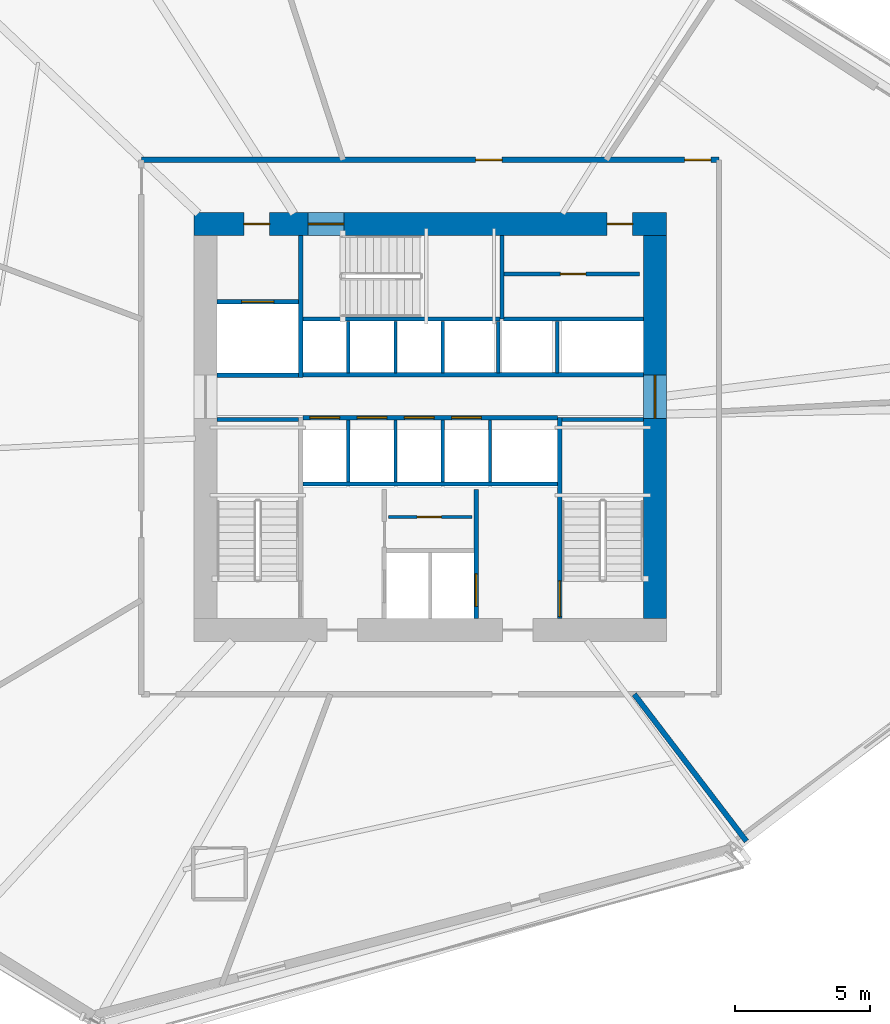
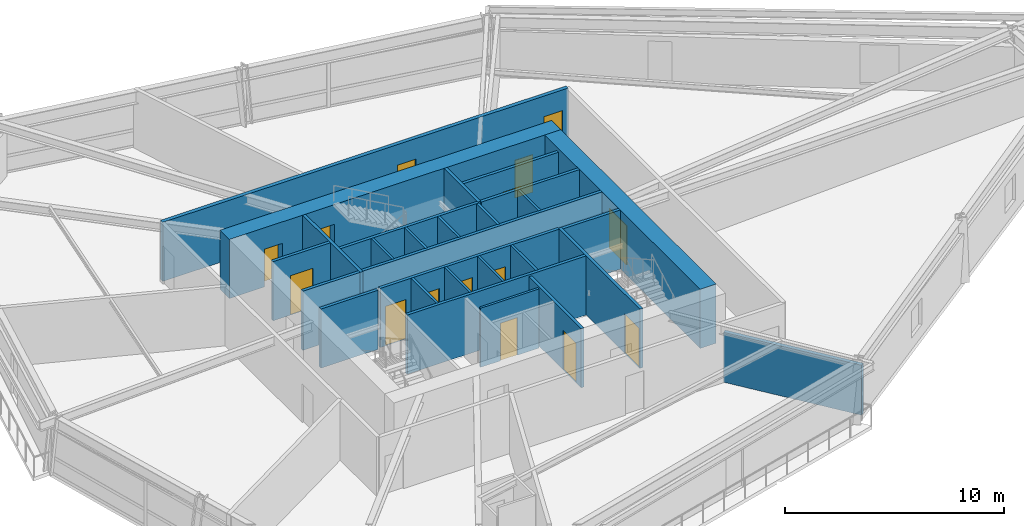
# One storey, part 16 of 20: 28 walls, 15 doors, 15 openings.
"""IFC4 building model written with IfcOpenShell, lengths in metres."""

from ifc_helpers import new_model, si_unit, direction, frame, frame_2d, origin, place, context, subcontext, project, spatial, rectangle, extrude, source, transform, mapped, material, layer, layer_set, type_object, type_shapes, element, fill, save


model = new_model("IFC4")

# Units and contexts
model_context = context("Model", 3, precision=1e-05, world=origin(), true_north=direction((0.0, 1.0)))
body_context = subcontext(model_context, "Body", "Model", "MODEL_VIEW")
ifc_project = project(units=[si_unit("LENGTHUNIT", "METRE"), si_unit("AREAUNIT", "SQUARE_METRE"), si_unit("VOLUMEUNIT", "CUBIC_METRE"), si_unit("PLANEANGLEUNIT", "RADIAN"), si_unit("MASSUNIT", "GRAM", prefix="KILO")], contexts=[model_context])

# Site, building, storey
site_placement = place(None, origin())
site = spatial("IfcSite", under=ifc_project, at=site_placement, CompositionType="ELEMENT")
building_placement = place(site_placement, origin())
building = spatial("IfcBuilding", under=site, at=building_placement, Name="Olszyna Solenne Hotel", CompositionType="ELEMENT")
storey_placement = place(building_placement, frame((0.0, 0.0, 43.5)))
storey = spatial("IfcBuildingStorey", under=building, at=storey_placement, Name="L10", CompositionType="ELEMENT", Elevation=43.5)

# Wall, openings, doors
ifc_material_1 = material(Name="Concrete C60/75", Category="concrete")
ifc_layer_1 = layer(ifc_material_1, 0.85009765625, Name="Concrete C60/75")
ifc_layer_set_1 = layer_set([ifc_layer_1], Name="Concrete C60/75")
wall_type_1 = type_object("IfcWallType", Name="WL-CR850", PredefinedType="SHEAR", material=ifc_layer_set_1)
wall_1_placement = place(storey_placement, frame((29.25, 34.125, 0.0), z_axis=(0.0, 0.0, 1.0), x_axis=(1.0, 0.0, 0.0)))
wall_1 = element("IfcWall", 1, at=wall_1_placement, inside=storey, type_object=wall_type_1, Name="Core shear wall WL-CR850 CRW-L10-N", PredefinedType="SHEAR", context=body_context, shape_type="SweptSolid", body=[
    extrude(rectangle(XDim=17.5, YDim=0.85009765625, at=frame_2d((8.75, 0.0))), origin(), (0.0, 0.0, 1.0), 3.300048828125),
])
opening_1_placement = place(wall_1_placement, frame((1.85009765625, 0.0, 0.0)))
opening_1 = element("IfcOpeningElement", 2, at=opening_1_placement, cuts=wall_1, Name="Opening SVD-L10-01", PredefinedType="OPENING", context=body_context, shape_type="SweptSolid", body=[
    extrude(rectangle(XDim=0.949951171875, YDim=2.10009765625, at=frame_2d((0.47509765625, 1.050048828125))), frame((0.0, 0.43505859375, 0.0), z_axis=(0.0, -1.0, 0.0), x_axis=(1.0, 0.0, 0.0)), (0.0, 0.0, 1.0), 0.8701171875),
])
opening_2_placement = place(wall_1_placement, frame((4.22998046875, 0.0, 0.0)))
opening_2 = element("IfcOpeningElement", 3, at=opening_2_placement, cuts=wall_1, Name="Opening STD-L10-03", PredefinedType="OPENING", context=body_context, shape_type="SweptSolid", body=[
    extrude(rectangle(XDim=1.320068359375, YDim=2.199951171875, at=frame_2d((0.66015625, 1.10009765625))), frame((0.0, 0.43505859375, 0.0), z_axis=(0.0, -1.0, 0.0), x_axis=(1.0, 0.0, 0.0)), (0.0, 0.0, 1.0), 0.8701171875),
])
opening_3_placement = place(wall_1_placement, frame((15.300048828125, 0.0, 0.0)))
opening_3 = element("IfcOpeningElement", 4, at=opening_3_placement, cuts=wall_1, Name="Opening SVD-L10-BN", PredefinedType="OPENING", context=body_context, shape_type="SweptSolid", body=[
    extrude(rectangle(XDim=0.949951171875, YDim=2.10009765625, at=frame_2d((0.47509765625, 1.050048828125))), frame((0.0, 0.43505859375, 0.0), z_axis=(0.0, -1.0, 0.0), x_axis=(1.0, 0.0, 0.0)), (0.0, 0.0, 1.0), 0.8701171875),
])
ifc_material_2 = material(Name="Steel S355J2", Category="steel")
door_type_1 = type_object("IfcDoorType", Name="DR-ST1", OperationType="NOTDEFINED", PredefinedType="DOOR", material=ifc_material_2)
shared_shape_1 = source(origin(), body_context, "Body", "SweptSolid", [
    extrude(rectangle(XDim=1.320068359375, YDim=2.199951171875, at=frame_2d((0.66015625, 1.10009765625))), frame((0.0, 0.02490234375, 0.0), z_axis=(0.0, -1.0, 0.0), x_axis=(1.0, 0.0, 0.0)), (0.0, 0.0, 1.0), 0.050048828125),
])
type_shapes(door_type_1, [shared_shape_1])
door_1_placement = place(opening_2_placement, origin())
door_1 = element("IfcDoor", 5, at=door_1_placement, inside=storey, type_object=door_type_1, Name="Pressurised exit stair ST3 fire door STD-L10-03", OperationType="SINGLE_SWING_RIGHT", OverallHeight=2.199951171875, OverallWidth=1.320068359375, PredefinedType="DOOR", context=body_context, shape_type="MappedRepresentation", body=[
    mapped(shared_shape_1, transform((0.0, 0.0, 0.0), x_axis=(1.0, 0.0, 0.0), y_axis=(0.0, 1.0, 0.0), z_axis=(0.0, 0.0, 1.0), scale=1.0)),
])
fill(opening_2, door_1)
door_type_2 = type_object("IfcDoorType", Name="DR-SV1", OperationType="NOTDEFINED", PredefinedType="DOOR", material=ifc_material_2)
shared_shape_2 = source(origin(), body_context, "Body", "SweptSolid", [
    extrude(rectangle(XDim=0.949951171875, YDim=2.10009765625, at=frame_2d((0.47509765625, 1.050048828125))), frame((0.0, 0.02490234375, 0.0), z_axis=(0.0, -1.0, 0.0), x_axis=(1.0, 0.0, 0.0)), (0.0, 0.0, 1.0), 0.050048828125),
])
type_shapes(door_type_2, [shared_shape_2])
door_2_placement = place(opening_1_placement, origin())
door_2 = element("IfcDoor", 6, at=door_2_placement, inside=storey, type_object=door_type_2, Name="Service lift lobby fire door SVD-L10-01", OperationType="SINGLE_SWING_LEFT", OverallHeight=2.10009765625, OverallWidth=0.949951171875, PredefinedType="DOOR", context=body_context, shape_type="MappedRepresentation", body=[
    mapped(shared_shape_2, transform((0.0, 0.0, 0.0), x_axis=(1.0, 0.0, 0.0), y_axis=(0.0, 1.0, 0.0), z_axis=(0.0, 0.0, 1.0), scale=1.0)),
])
fill(opening_1, door_2)
door_3_placement = place(opening_3_placement, origin())
door_3 = element("IfcDoor", 7, at=door_3_placement, inside=storey, type_object=door_type_2, Name="Housekeeping core fire door SVD-L10-BN", OperationType="SINGLE_SWING_LEFT", OverallHeight=2.10009765625, OverallWidth=0.949951171875, PredefinedType="DOOR", context=body_context, shape_type="MappedRepresentation", body=[
    mapped(shared_shape_2, transform((0.0, 0.0, 0.0), x_axis=(1.0, 0.0, 0.0), y_axis=(0.0, 1.0, 0.0), z_axis=(0.0, 0.0, 1.0), scale=1.0)),
])
fill(opening_3, door_3)

# Wall, opening, door
wall_2_placement = place(storey_placement, frame((46.324951171875, 33.699951171875, 0.0), z_axis=(0.0, 0.0, 1.0), x_axis=(0.0, -1.0, 0.0)))
wall_2 = element("IfcWall", 8, at=wall_2_placement, inside=storey, type_object=wall_type_1, Name="Core shear wall WL-CR850 CRW-L10-E", PredefinedType="SHEAR", context=body_context, shape_type="SweptSolid", body=[
    extrude(rectangle(XDim=14.199951171875, YDim=0.85009765625, at=frame_2d((7.10009765625, 0.0))), origin(), (0.0, 0.0, 1.0), 3.300048828125),
])
opening_4_placement = place(wall_2_placement, frame((5.179931640625, 0.0, 0.0)))
opening_4 = element("IfcOpeningElement", 9, at=opening_4_placement, cuts=wall_2, Name="Opening LHD-L10-E", PredefinedType="OPENING", context=body_context, shape_type="SweptSolid", body=[
    extrude(rectangle(XDim=1.60009765625, YDim=2.199951171875, at=frame_2d((0.800048828125, 1.10009765625))), frame((0.0, 0.43505859375, 0.0), z_axis=(0.0, -1.0, 0.0), x_axis=(1.0, 0.0, 0.0)), (0.0, 0.0, 1.0), 0.8701171875),
])
ifc_material_3 = material(Name="Timber hardwood", Category="wood")
door_type_3 = type_object("IfcDoorType", Name="DR-CR1", OperationType="DOUBLE_DOOR_SINGLE_SWING", PredefinedType="DOOR", material=ifc_material_3)
shared_shape_3 = source(origin(), body_context, "Body", "SweptSolid", [
    extrude(rectangle(XDim=1.60009765625, YDim=2.199951171875, at=frame_2d((0.800048828125, 1.10009765625))), frame((0.0, 0.02490234375, 0.0), z_axis=(0.0, -1.0, 0.0), x_axis=(1.0, 0.0, 0.0)), (0.0, 0.0, 1.0), 0.050048828125),
])
type_shapes(door_type_3, [shared_shape_3])
door_4_placement = place(opening_4_placement, origin())
door_4 = element("IfcDoor", 10, at=door_4_placement, inside=storey, type_object=door_type_3, Name="Passenger lift lobby East fire door LHD-L10-E", OperationType="DOUBLE_DOOR_SINGLE_SWING", OverallHeight=2.199951171875, OverallWidth=1.60009765625, PredefinedType="DOOR", context=body_context, shape_type="MappedRepresentation", body=[
    mapped(shared_shape_3, transform((0.0, 0.0, 0.0), x_axis=(1.0, 0.0, 0.0), y_axis=(0.0, 1.0, 0.0), z_axis=(0.0, 0.0, 1.0), scale=1.0)),
])
fill(opening_4, door_4)

ifc_material_4 = material(Name="Acoustic gypsum partition", Category="gypsum")
ifc_layer_2 = layer(ifc_material_4, 0.125, Name="Acoustic gypsum partition")
ifc_layer_set_2 = layer_set([ifc_layer_2], Name="Acoustic gypsum partition")
wall_type_2 = type_object("IfcWallType", Name="WL-PT125", PredefinedType="PARTITIONING", material=ifc_layer_set_2)
wall_3_placement = place(storey_placement, frame((36.4599609375, 23.27001953125, 0.0), z_axis=(0.0, 0.0, 1.0), x_axis=(1.0, 0.0, 0.0)))
wall_3 = element("IfcWall", 11, at=wall_3_placement, inside=storey, type_object=wall_type_2, Name="Core shaft compartment wall CW-L10-SC2", PredefinedType="PARTITIONING", context=body_context, shape_type="SweptSolid", body=[
    extrude(rectangle(XDim=3.080078125, YDim=0.125, at=frame_2d((1.5400390625, 0.0))), origin(), (0.0, 0.0, 1.0), 3.300048828125),
])
opening_5_placement = place(wall_3_placement, frame((1.050048828125, 0.0, 0.0)))
opening_5 = element("IfcOpeningElement", 12, at=opening_5_placement, cuts=wall_3, Name="Opening SVD-L10-SC2", PredefinedType="OPENING", context=body_context, shape_type="SweptSolid", body=[
    extrude(rectangle(XDim=0.89990234375, YDim=2.10009765625, at=frame_2d((0.449951171875, 1.050048828125))), frame((0.0, 0.072509765625, 0.0), z_axis=(0.0, -1.0, 0.0), x_axis=(1.0, 0.0, 0.0)), (0.0, 0.0, 1.0), 0.14501953125),
])
door_type_4 = type_object("IfcDoorType", Name="DR-WC1", OperationType="NOTDEFINED", PredefinedType="DOOR", material=ifc_material_3)
shared_shape_4 = source(origin(), body_context, "Body", "SweptSolid", [
    extrude(rectangle(XDim=0.89990234375, YDim=2.10009765625, at=frame_2d((0.449951171875, 1.050048828125))), frame((0.0, 0.02490234375, 0.0), z_axis=(0.0, -1.0, 0.0), x_axis=(1.0, 0.0, 0.0)), (0.0, 0.0, 1.0), 0.050048828125),
])
type_shapes(door_type_4, [shared_shape_4])
door_5_placement = place(opening_5_placement, origin())
door_5 = element("IfcDoor", 13, at=door_5_placement, inside=storey, type_object=door_type_4, Name="Butler pantry door SVD-L10-SC2", OperationType="SINGLE_SWING_RIGHT", OverallHeight=2.10009765625, OverallWidth=0.89990234375, PredefinedType="DOOR", context=body_context, shape_type="MappedRepresentation", body=[
    mapped(shared_shape_4, transform((0.0, 0.0, 0.0), x_axis=(1.0, 0.0, 0.0), y_axis=(0.0, 1.0, 0.0), z_axis=(0.0, 0.0, 1.0), scale=1.0)),
])
fill(opening_5, door_5)

# Walls
for number, where, z_axis, x_axis, name in (
    (14, (34.965087890625, 24.56005859375, 0.0), (0.0, 0.0, 1.0), (0.0, 1.0, 0.0), "Core shaft compartment wall CW-L10-DIVS349"),
    (15, (36.715087890625, 24.56005859375, 0.0), (0.0, 0.0, 1.0), (0.0, 1.0, 0.0), "Core shaft compartment wall CW-L10-DIVS367"),
    (16, (38.465087890625, 24.56005859375, 0.0), (0.0, 0.0, 1.0), (0.0, 1.0, 0.0), "Core shaft compartment wall CW-L10-DIVS384"),
    (17, (40.215087890625, 24.56005859375, 0.0), (0.0, 0.0, 1.0), (0.0, 1.0, 0.0), "Core shaft compartment wall CW-L10-DIVS402"),
):
    element("IfcWall", number, at=place(storey_placement, frame(where, z_axis=z_axis, x_axis=x_axis)), inside=storey, type_object=wall_type_2, Name=name, PredefinedType="PARTITIONING", context=body_context, shape_type="SweptSolid", body=[
        extrude(rectangle(XDim=2.31005859375, YDim=0.125, at=frame_2d((1.155029296875, 0.0))), origin(), (0.0, 0.0, 1.0), 3.300048828125),
    ])
for number, where, z_axis, x_axis, name in (
    (18, (34.965087890625, 28.60009765625, 0.0), (0.0, 0.0, 1.0), (0.0, 1.0, 0.0), "Core shaft compartment wall CW-L10-DIVN349"),
    (19, (36.715087890625, 28.60009765625, 0.0), (0.0, 0.0, 1.0), (0.0, 1.0, 0.0), "Core shaft compartment wall CW-L10-DIVN367"),
    (20, (38.465087890625, 28.60009765625, 0.0), (0.0, 0.0, 1.0), (0.0, 1.0, 0.0), "Core shaft compartment wall CW-L10-DIVN384"),
    (21, (40.52490234375, 28.60009765625, 0.0), (0.0, 0.0, 1.0), (0.0, 1.0, 0.0), "Core shaft compartment wall CW-L10-DIVEX405"),
    (22, (42.699951171875, 28.60009765625, 0.0), (0.0, 0.0, 1.0), (0.0, 1.0, 0.0), "Core shaft compartment wall CW-L10-DIVEX427"),
):
    element("IfcWall", number, at=place(storey_placement, frame(where, z_axis=z_axis, x_axis=x_axis)), inside=storey, type_object=wall_type_2, Name=name, PredefinedType="PARTITIONING", context=body_context, shape_type="SweptSolid", body=[
        extrude(rectangle(XDim=1.919921875, YDim=0.125, at=frame_2d((0.9599609375, 0.0))), origin(), (0.0, 0.0, 1.0), 3.300048828125),
    ])
ifc_layer_3 = layer(ifc_material_4, 0.159912109375, Name="Acoustic gypsum partition")
ifc_layer_set_3 = layer_set([ifc_layer_3], Name="Acoustic gypsum partition")
wall_type_3 = type_object("IfcWallType", Name="WL-PT160", PredefinedType="PARTITIONING", material=ifc_layer_set_3)
wall_4_placement = place(storey_placement, frame((30.10009765625, 26.8798828125, 0.0), z_axis=(0.0, 0.0, 1.0), x_axis=(1.0, 0.0, 0.0)))
element("IfcWall", 23, at=wall_4_placement, inside=storey, type_object=wall_type_3, Name="Core shaft compartment wall CW-L10-ST1N", PredefinedType="PARTITIONING", context=body_context, shape_type="SweptSolid", body=[
    extrude(rectangle(XDim=3.02001953125, YDim=0.159912109375, at=frame_2d((1.510009765625, 0.0))), origin(), (0.0, 0.0, 1.0), 3.300048828125),
])

# Wall, opening, door
wall_5_placement = place(storey_placement, frame((42.800048828125, 26.9599609375, 0.0), z_axis=(0.0, 0.0, 1.0), x_axis=(0.0, -1.0, 0.0)))
wall_5 = element("IfcWall", 24, at=wall_5_placement, inside=storey, type_object=wall_type_3, Name="Core shaft compartment wall CW-L10-ST2W", PredefinedType="PARTITIONING", context=body_context, shape_type="SweptSolid", body=[
    extrude(rectangle(XDim=7.4599609375, YDim=0.159912109375, at=frame_2d((3.72998046875, 0.0))), origin(), (0.0, 0.0, 1.0), 3.300048828125),
])
opening_6_placement = place(wall_5_placement, frame((6.06005859375, 0.0, 0.0)))
opening_6 = element("IfcOpeningElement", 25, at=opening_6_placement, cuts=wall_5, Name="Opening STD-L10-02", PredefinedType="OPENING", context=body_context, shape_type="SweptSolid", body=[
    extrude(rectangle(XDim=1.320068359375, YDim=2.199951171875, at=frame_2d((0.66015625, 1.10009765625))), frame((0.0, 0.08984375, 0.0), z_axis=(0.0, -1.0, 0.0), x_axis=(1.0, 0.0, 0.0)), (0.0, 0.0, 1.0), 0.179931640625),
])
door_6_placement = place(opening_6_placement, origin())
door_6 = element("IfcDoor", 26, at=door_6_placement, inside=storey, type_object=door_type_1, Name="Pressurised exit stair ST2 fire door STD-L10-02", OperationType="SINGLE_SWING_RIGHT", OverallHeight=2.199951171875, OverallWidth=1.320068359375, PredefinedType="DOOR", context=body_context, shape_type="MappedRepresentation", body=[
    mapped(shared_shape_1, transform((0.0, 0.0, 0.0), x_axis=(1.0, 0.0, 0.0), y_axis=(0.0, 1.0, 0.0), z_axis=(0.0, 0.0, 1.0), scale=1.0)),
])
fill(opening_6, door_6)

# Walls
wall_6_placement = place(storey_placement, frame((42.8798828125, 26.8798828125, 0.0), z_axis=(0.0, 0.0, 1.0), x_axis=(1.0, 0.0, 0.0)))
element("IfcWall", 27, at=wall_6_placement, inside=storey, type_object=wall_type_3, Name="Core shaft compartment wall CW-L10-ST2N", PredefinedType="PARTITIONING", context=body_context, shape_type="SweptSolid", body=[
    extrude(rectangle(XDim=3.02001953125, YDim=0.159912109375, at=frame_2d((1.510009765625, 0.0))), origin(), (0.0, 0.0, 1.0), 3.300048828125),
])
wall_7_placement = place(storey_placement, frame((33.280029296875, 30.60009765625, 0.0), z_axis=(0.0, 0.0, 1.0), x_axis=(1.0, 0.0, 0.0)))
element("IfcWall", 28, at=wall_7_placement, inside=storey, type_object=wall_type_3, Name="Core shaft compartment wall CW-L10-ST3S", PredefinedType="PARTITIONING", context=body_context, shape_type="SweptSolid", body=[
    extrude(rectangle(XDim=7.300048828125, YDim=0.159912109375, at=frame_2d((3.64990234375, 0.0))), origin(), (0.0, 0.0, 1.0), 3.300048828125),
])
wall_8_placement = place(storey_placement, frame((40.659912109375, 30.60009765625, 0.0), z_axis=(0.0, 0.0, 1.0), x_axis=(0.0, 1.0, 0.0)))
element("IfcWall", 29, at=wall_8_placement, inside=storey, type_object=wall_type_3, Name="Core shaft compartment wall CW-L10-ST3E", PredefinedType="PARTITIONING", context=body_context, shape_type="SweptSolid", body=[
    extrude(rectangle(XDim=3.099853515625, YDim=0.159912109375, at=frame_2d((1.5498046875, 0.0))), origin(), (0.0, 0.0, 1.0), 3.300048828125),
])

# Wall, opening, door
wall_9_placement = place(storey_placement, frame((39.699951171875, 24.280029296875, 0.0), z_axis=(0.0, 0.0, 1.0), x_axis=(0.0, -1.0, 0.0)))
wall_9 = element("IfcWall", 30, at=wall_9_placement, inside=storey, type_object=wall_type_3, Name="Core shaft compartment wall CW-L10-FF2E", PredefinedType="PARTITIONING", context=body_context, shape_type="SweptSolid", body=[
    extrude(rectangle(XDim=4.780029296875, YDim=0.159912109375, at=frame_2d((2.39013671875, 0.0))), origin(), (0.0, 0.0, 1.0), 3.300048828125),
])
opening_7_placement = place(wall_9_placement, frame((3.1201171875, 0.0, 0.0)))
opening_7 = element("IfcOpeningElement", 31, at=opening_7_placement, cuts=wall_9, Name="Opening LD-L10-FF2", PredefinedType="OPENING", context=body_context, shape_type="SweptSolid", body=[
    extrude(rectangle(XDim=1.199951171875, YDim=2.199951171875, at=frame_2d((0.60009765625, 1.10009765625))), frame((0.0, 0.08984375, 0.0), z_axis=(0.0, -1.0, 0.0), x_axis=(1.0, 0.0, 0.0)), (0.0, 0.0, 1.0), 0.179931640625),
])
door_type_5 = type_object("IfcDoorType", Name="LD-FF1", OperationType="DOUBLE_DOOR_SLIDING", PredefinedType="DOOR", material=ifc_material_2)
shared_shape_5 = source(origin(), body_context, "Body", "SweptSolid", [
    extrude(rectangle(XDim=1.199951171875, YDim=2.199951171875, at=frame_2d((0.60009765625, 1.10009765625))), frame((0.0, 0.02490234375, 0.0), z_axis=(0.0, -1.0, 0.0), x_axis=(1.0, 0.0, 0.0)), (0.0, 0.0, 1.0), 0.050048828125),
])
type_shapes(door_type_5, [shared_shape_5])
door_7_placement = place(opening_7_placement, origin())
door_7 = element("IfcDoor", 32, at=door_7_placement, inside=storey, type_object=door_type_5, Name="Firefighters lift FF2 sliding landing door LD-L10-FF2", OperationType="DOUBLE_DOOR_SLIDING", OverallHeight=2.199951171875, OverallWidth=1.199951171875, PredefinedType="DOOR", context=body_context, shape_type="MappedRepresentation", body=[
    mapped(shared_shape_5, transform((0.0, 0.0, 0.0), x_axis=(1.0, 0.0, 0.0), y_axis=(0.0, 1.0, 0.0), z_axis=(0.0, 0.0, 1.0), scale=1.0)),
])
fill(opening_7, door_7)

# Walls
wall_10_placement = place(storey_placement, frame((33.280029296875, 24.489990234375, 0.0), z_axis=(0.0, 0.0, 1.0), x_axis=(1.0, 0.0, 0.0)))
element("IfcWall", 33, at=wall_10_placement, inside=storey, type_object=wall_type_3, Name="Core shaft compartment wall CW-L10-FFBN", PredefinedType="PARTITIONING", context=body_context, shape_type="SweptSolid", body=[
    extrude(rectangle(XDim=9.43994140625, YDim=0.159912109375, at=frame_2d((4.719970703125, 0.0))), origin(), (0.0, 0.0, 1.0), 3.300048828125),
])
wall_11_placement = place(storey_placement, frame((30.10009765625, 28.52001953125, 0.0), z_axis=(0.0, 0.0, 1.0), x_axis=(1.0, 0.0, 0.0)))
element("IfcWall", 34, at=wall_11_placement, inside=storey, type_object=wall_type_3, Name="Core shaft compartment wall CW-L10-SV1S", PredefinedType="PARTITIONING", context=body_context, shape_type="SweptSolid", body=[
    extrude(rectangle(XDim=3.02001953125, YDim=0.159912109375, at=frame_2d((1.510009765625, 0.0))), origin(), (0.0, 0.0, 1.0), 3.300048828125),
])
wall_12_placement = place(storey_placement, frame((33.199951171875, 28.43994140625, 0.0), z_axis=(0.0, 0.0, 1.0), x_axis=(0.0, 1.0, 0.0)))
element("IfcWall", 35, at=wall_12_placement, inside=storey, type_object=wall_type_3, Name="Core shaft compartment wall CW-L10-SV1E", PredefinedType="PARTITIONING", context=body_context, shape_type="SweptSolid", body=[
    extrude(rectangle(XDim=5.260009765625, YDim=0.159912109375, at=frame_2d((2.6298828125, 0.0))), origin(), (0.0, 0.0, 1.0), 3.300048828125),
])

# Wall, opening, door
wall_13_placement = place(storey_placement, frame((30.10009765625, 31.239990234375, 0.0), z_axis=(0.0, 0.0, 1.0), x_axis=(1.0, 0.0, 0.0)))
wall_13 = element("IfcWall", 36, at=wall_13_placement, inside=storey, type_object=wall_type_3, Name="Core shaft compartment wall CW-L10-SV1N", PredefinedType="PARTITIONING", context=body_context, shape_type="SweptSolid", body=[
    extrude(rectangle(XDim=3.02001953125, YDim=0.159912109375, at=frame_2d((1.510009765625, 0.0))), origin(), (0.0, 0.0, 1.0), 3.300048828125),
])
opening_8_placement = place(wall_13_placement, frame((0.909912109375, 0.0, 0.0)))
opening_8 = element("IfcOpeningElement", 37, at=opening_8_placement, cuts=wall_13, Name="Opening LD-L10-SV1", PredefinedType="OPENING", context=body_context, shape_type="SweptSolid", body=[
    extrude(rectangle(XDim=1.199951171875, YDim=2.199951171875, at=frame_2d((0.60009765625, 1.10009765625))), frame((0.0, 0.08984375, 0.0), z_axis=(0.0, -1.0, 0.0), x_axis=(1.0, 0.0, 0.0)), (0.0, 0.0, 1.0), 0.179931640625),
])
door_8_placement = place(opening_8_placement, origin())
door_8 = element("IfcDoor", 38, at=door_8_placement, inside=storey, type_object=door_type_5, Name="Service lift SV1 sliding landing door LD-L10-SV1", OperationType="DOUBLE_DOOR_SLIDING", OverallHeight=2.199951171875, OverallWidth=1.199951171875, PredefinedType="DOOR", context=body_context, shape_type="MappedRepresentation", body=[
    mapped(shared_shape_5, transform((0.0, 0.0, 0.0), x_axis=(1.0, 0.0, 0.0), y_axis=(0.0, 1.0, 0.0), z_axis=(0.0, 0.0, 1.0), scale=1.0)),
])
fill(opening_8, door_8)

# Wall, openings, doors
wall_14_placement = place(storey_placement, frame((33.280029296875, 26.949951171875, 0.0), z_axis=(0.0, 0.0, 1.0), x_axis=(1.0, 0.0, 0.0)))
wall_14 = element("IfcWall", 39, at=wall_14_placement, inside=storey, type_object=wall_type_3, Name="Core shaft compartment wall CW-L10-LRS", PredefinedType="PARTITIONING", context=body_context, shape_type="SweptSolid", body=[
    extrude(rectangle(XDim=9.43994140625, YDim=0.159912109375, at=frame_2d((4.719970703125, 0.0))), origin(), (0.0, 0.0, 1.0), 3.300048828125),
])
opening_9_placement = place(wall_14_placement, frame((0.260009765625, 0.0, 0.0)))
opening_9 = element("IfcOpeningElement", 40, at=opening_9_placement, cuts=wall_14, Name="Opening LD-L10-PL1", PredefinedType="OPENING", context=body_context, shape_type="SweptSolid", body=[
    extrude(rectangle(XDim=1.10009765625, YDim=2.199951171875, at=frame_2d((0.550048828125, 1.10009765625))), frame((0.0, 0.08984375, 0.0), z_axis=(0.0, -1.0, 0.0), x_axis=(1.0, 0.0, 0.0)), (0.0, 0.0, 1.0), 0.179931640625),
])
opening_10_placement = place(wall_14_placement, frame((2.010009765625, 0.0, 0.0)))
opening_10 = element("IfcOpeningElement", 41, at=opening_10_placement, cuts=wall_14, Name="Opening LD-L10-PL2", PredefinedType="OPENING", context=body_context, shape_type="SweptSolid", body=[
    extrude(rectangle(XDim=1.10009765625, YDim=2.199951171875, at=frame_2d((0.550048828125, 1.10009765625))), frame((0.0, 0.08984375, 0.0), z_axis=(0.0, -1.0, 0.0), x_axis=(1.0, 0.0, 0.0)), (0.0, 0.0, 1.0), 0.179931640625),
])
opening_11_placement = place(wall_14_placement, frame((3.760009765625, 0.0, 0.0)))
opening_11 = element("IfcOpeningElement", 42, at=opening_11_placement, cuts=wall_14, Name="Opening LD-L10-PL3", PredefinedType="OPENING", context=body_context, shape_type="SweptSolid", body=[
    extrude(rectangle(XDim=1.10009765625, YDim=2.199951171875, at=frame_2d((0.550048828125, 1.10009765625))), frame((0.0, 0.08984375, 0.0), z_axis=(0.0, -1.0, 0.0), x_axis=(1.0, 0.0, 0.0)), (0.0, 0.0, 1.0), 0.179931640625),
])
opening_12_placement = place(wall_14_placement, frame((5.510009765625, 0.0, 0.0)))
opening_12 = element("IfcOpeningElement", 43, at=opening_12_placement, cuts=wall_14, Name="Opening LD-L10-PL4", PredefinedType="OPENING", context=body_context, shape_type="SweptSolid", body=[
    extrude(rectangle(XDim=1.10009765625, YDim=2.199951171875, at=frame_2d((0.550048828125, 1.10009765625))), frame((0.0, 0.08984375, 0.0), z_axis=(0.0, -1.0, 0.0), x_axis=(1.0, 0.0, 0.0)), (0.0, 0.0, 1.0), 0.179931640625),
])
door_type_6 = type_object("IfcDoorType", Name="LD-P1", OperationType="DOUBLE_DOOR_SLIDING", PredefinedType="DOOR", material=ifc_material_2)
shared_shape_6 = source(origin(), body_context, "Body", "SweptSolid", [
    extrude(rectangle(XDim=1.10009765625, YDim=2.199951171875, at=frame_2d((0.550048828125, 1.10009765625))), frame((0.0, 0.02490234375, 0.0), z_axis=(0.0, -1.0, 0.0), x_axis=(1.0, 0.0, 0.0)), (0.0, 0.0, 1.0), 0.050048828125),
])
type_shapes(door_type_6, [shared_shape_6])
door_9_placement = place(opening_9_placement, origin())
door_9 = element("IfcDoor", 44, at=door_9_placement, inside=storey, type_object=door_type_6, Name="Passenger lift PL1 sliding landing door LD-L10-PL1", OperationType="DOUBLE_DOOR_SLIDING", OverallHeight=2.199951171875, OverallWidth=1.10009765625, PredefinedType="DOOR", context=body_context, shape_type="MappedRepresentation", body=[
    mapped(shared_shape_6, transform((0.0, 0.0, 0.0), x_axis=(1.0, 0.0, 0.0), y_axis=(0.0, 1.0, 0.0), z_axis=(0.0, 0.0, 1.0), scale=1.0)),
])
fill(opening_9, door_9)
door_10_placement = place(opening_10_placement, origin())
door_10 = element("IfcDoor", 45, at=door_10_placement, inside=storey, type_object=door_type_6, Name="Passenger lift PL2 sliding landing door LD-L10-PL2", OperationType="DOUBLE_DOOR_SLIDING", OverallHeight=2.199951171875, OverallWidth=1.10009765625, PredefinedType="DOOR", context=body_context, shape_type="MappedRepresentation", body=[
    mapped(shared_shape_6, transform((0.0, 0.0, 0.0), x_axis=(1.0, 0.0, 0.0), y_axis=(0.0, 1.0, 0.0), z_axis=(0.0, 0.0, 1.0), scale=1.0)),
])
fill(opening_10, door_10)
door_11_placement = place(opening_11_placement, origin())
door_11 = element("IfcDoor", 46, at=door_11_placement, inside=storey, type_object=door_type_6, Name="Passenger lift PL3 sliding landing door LD-L10-PL3", OperationType="DOUBLE_DOOR_SLIDING", OverallHeight=2.199951171875, OverallWidth=1.10009765625, PredefinedType="DOOR", context=body_context, shape_type="MappedRepresentation", body=[
    mapped(shared_shape_6, transform((0.0, 0.0, 0.0), x_axis=(1.0, 0.0, 0.0), y_axis=(0.0, 1.0, 0.0), z_axis=(0.0, 0.0, 1.0), scale=1.0)),
])
fill(opening_11, door_11)
door_12_placement = place(opening_12_placement, origin())
door_12 = element("IfcDoor", 47, at=door_12_placement, inside=storey, type_object=door_type_6, Name="Passenger lift PL4 sliding landing door LD-L10-PL4", OperationType="DOUBLE_DOOR_SLIDING", OverallHeight=2.199951171875, OverallWidth=1.10009765625, PredefinedType="DOOR", context=body_context, shape_type="MappedRepresentation", body=[
    mapped(shared_shape_6, transform((0.0, 0.0, 0.0), x_axis=(1.0, 0.0, 0.0), y_axis=(0.0, 1.0, 0.0), z_axis=(0.0, 0.0, 1.0), scale=1.0)),
])
fill(opening_12, door_12)

# Walls
wall_15_placement = place(storey_placement, frame((33.280029296875, 28.5400390625, 0.0), z_axis=(0.0, 0.0, 1.0), x_axis=(1.0, 0.0, 0.0)))
element("IfcWall", 48, at=wall_15_placement, inside=storey, type_object=wall_type_3, Name="Core shaft compartment wall CW-L10-LRN", PredefinedType="PARTITIONING", context=body_context, shape_type="SweptSolid", body=[
    extrude(rectangle(XDim=12.619873046875, YDim=0.159912109375, at=frame_2d((6.31005859375, 0.0))), origin(), (0.0, 0.0, 1.0), 3.300048828125),
])
wall_16_placement = place(storey_placement, frame((40.719970703125, 30.60009765625, 0.0), z_axis=(0.0, 0.0, 1.0), x_axis=(1.0, 0.0, 0.0)))
element("IfcWall", 49, at=wall_16_placement, inside=storey, type_object=wall_type_3, Name="Core shaft compartment wall CW-L10-LRNTOP", PredefinedType="PARTITIONING", context=body_context, shape_type="SweptSolid", body=[
    extrude(rectangle(XDim=5.179931640625, YDim=0.159912109375, at=frame_2d((2.58984375, 0.0))), origin(), (0.0, 0.0, 1.0), 3.300048828125),
])

# Wall, opening, door
wall_17_placement = place(storey_placement, frame((40.719970703125, 32.27001953125, 0.0), z_axis=(0.0, 0.0, 1.0), x_axis=(1.0, 0.0, 0.0)))
wall_17 = element("IfcWall", 50, at=wall_17_placement, inside=storey, type_object=wall_type_3, Name="Core shaft compartment wall CW-L10-BOH2", PredefinedType="PARTITIONING", context=body_context, shape_type="SweptSolid", body=[
    extrude(rectangle(XDim=5.030029296875, YDim=0.159912109375, at=frame_2d((2.51513671875, 0.0))), origin(), (0.0, 0.0, 1.0), 3.300048828125),
])
opening_13_placement = place(wall_17_placement, frame((2.10009765625, 0.0, 0.0)))
opening_13 = element("IfcOpeningElement", 51, at=opening_13_placement, cuts=wall_17, Name="Opening SVD-L10-BI2", PredefinedType="OPENING", context=body_context, shape_type="SweptSolid", body=[
    extrude(rectangle(XDim=0.949951171875, YDim=2.10009765625, at=frame_2d((0.47509765625, 1.050048828125))), frame((0.0, 0.08984375, 0.0), z_axis=(0.0, -1.0, 0.0), x_axis=(1.0, 0.0, 0.0)), (0.0, 0.0, 1.0), 0.179931640625),
])
door_13_placement = place(opening_13_placement, origin())
door_13 = element("IfcDoor", 52, at=door_13_placement, inside=storey, type_object=door_type_2, Name="BOH inter-room fire door SVD-L10-BI2", OperationType="SINGLE_SWING_RIGHT", OverallHeight=2.10009765625, OverallWidth=0.949951171875, PredefinedType="DOOR", context=body_context, shape_type="MappedRepresentation", body=[
    mapped(shared_shape_2, transform((0.0, 0.0, 0.0), x_axis=(1.0, 0.0, 0.0), y_axis=(0.0, 1.0, 0.0), z_axis=(0.0, 0.0, 1.0), scale=1.0)),
])
fill(opening_13, door_13)

# Wall
ifc_layer_4 = layer(ifc_material_4, 0.199951171875, Name="Acoustic gypsum partition")
ifc_layer_set_4 = layer_set([ifc_layer_4], Name="Acoustic gypsum partition")
wall_type_4 = type_object("IfcWallType", Name="WL-PT200", PredefinedType="PARTITIONING", material=ifc_layer_set_4)
wall_18_placement = place(storey_placement, frame((45.557373046875, 16.699951171875, 0.0), z_axis=(0.0, 0.0, 1.0), x_axis=(0.606788320392, -0.794863468928, 0.0)))
element("IfcWall", 53, at=wall_18_placement, inside=storey, type_object=wall_type_4, Name="Interior acoustic partition WL-PT200 PW-L10-0550", PredefinedType="PARTITIONING", context=body_context, shape_type="SweptSolid", body=[
    extrude(rectangle(XDim=6.848876953125, YDim=0.199951171875, at=frame_2d((3.42431640625, 0.0))), origin(), (0.0, 0.0, 1.0), 2.784912109375),
])

# Wall, openings, doors
wall_19_placement = place(storey_placement, frame((27.300048828125, 36.5, 0.0), z_axis=(0.0, 0.0, 1.0), x_axis=(1.0, 0.0, 0.0)))
wall_19 = element("IfcWall", 54, at=wall_19_placement, inside=storey, type_object=wall_type_4, Name="Interior acoustic partition WL-PT200 PW-L10-0562", PredefinedType="PARTITIONING", context=body_context, shape_type="SweptSolid", body=[
    extrude(rectangle(XDim=21.39990234375, YDim=0.199951171875, at=frame_2d((10.699951171875, 0.0))), origin(), (0.0, 0.0, 1.0), 3.300048828125),
])
opening_14_placement = place(wall_19_placement, frame((20.1201171875, 0.0, 0.0)))
opening_14 = element("IfcOpeningElement", 55, at=opening_14_placement, cuts=wall_19, Name="Opening DR-L10-0124", PredefinedType="OPENING", context=body_context, shape_type="SweptSolid", body=[
    extrude(rectangle(XDim=0.97998046875, YDim=2.14990234375, at=frame_2d((0.489990234375, 1.074951171875))), frame((0.0, 0.10986328125, 0.0), z_axis=(0.0, -1.0, 0.0), x_axis=(1.0, 0.0, 0.0)), (0.0, 0.0, 1.0), 0.219970703125),
])
opening_15_placement = place(wall_19_placement, frame((12.385009765625, 0.0, 0.0)))
opening_15 = element("IfcOpeningElement", 56, at=opening_15_placement, cuts=wall_19, Name="Opening DR-L10-0125", PredefinedType="OPENING", context=body_context, shape_type="SweptSolid", body=[
    extrude(rectangle(XDim=0.97998046875, YDim=2.14990234375, at=frame_2d((0.489990234375, 1.074951171875))), frame((0.0, 0.10986328125, 0.0), z_axis=(0.0, -1.0, 0.0), x_axis=(1.0, 0.0, 0.0)), (0.0, 0.0, 1.0), 0.219970703125),
])
door_type_7 = type_object("IfcDoorType", Name="DR-RM1", OperationType="NOTDEFINED", PredefinedType="DOOR", material=ifc_material_3)
shared_shape_7 = source(origin(), body_context, "Body", "SweptSolid", [
    extrude(rectangle(XDim=0.97998046875, YDim=2.14990234375, at=frame_2d((0.489990234375, 1.074951171875))), frame((0.0, 0.02490234375, 0.0), z_axis=(0.0, -1.0, 0.0), x_axis=(1.0, 0.0, 0.0)), (0.0, 0.0, 1.0), 0.050048828125),
])
type_shapes(door_type_7, [shared_shape_7])
door_14_placement = place(opening_14_placement, origin())
door_14 = element("IfcDoor", 57, at=door_14_placement, inside=storey, type_object=door_type_7, Name="Boutique Art Gallery Entrance Door DR-L10-0124", OperationType="SINGLE_SWING_LEFT", OverallHeight=2.14990234375, OverallWidth=0.97998046875, PredefinedType="DOOR", context=body_context, shape_type="MappedRepresentation", body=[
    mapped(shared_shape_7, transform((0.0, 0.0, 0.0), x_axis=(1.0, 0.0, 0.0), y_axis=(0.0, 1.0, 0.0), z_axis=(0.0, 0.0, 1.0), scale=1.0)),
])
fill(opening_14, door_14)
door_15_placement = place(opening_15_placement, origin())
door_15 = element("IfcDoor", 58, at=door_15_placement, inside=storey, type_object=door_type_7, Name="Executive Reading Salon Entrance Door DR-L10-0125", OperationType="SINGLE_SWING_RIGHT", OverallHeight=2.14990234375, OverallWidth=0.97998046875, PredefinedType="DOOR", context=body_context, shape_type="MappedRepresentation", body=[
    mapped(shared_shape_7, transform((0.0, 0.0, 0.0), x_axis=(1.0, 0.0, 0.0), y_axis=(0.0, 1.0, 0.0), z_axis=(0.0, 0.0, 1.0), scale=1.0)),
])
fill(opening_15, door_15)

save(model, "model.ifc")
